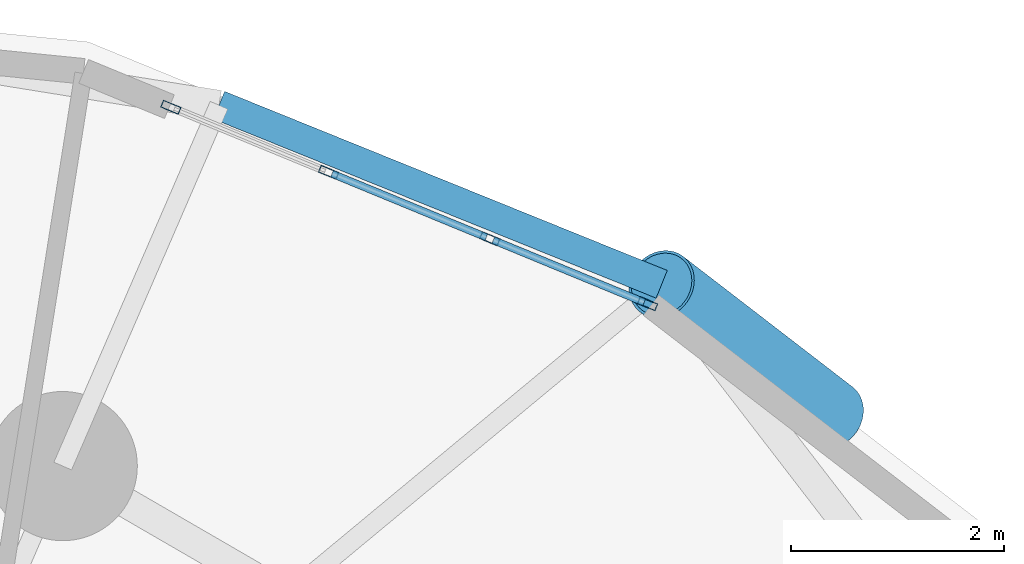
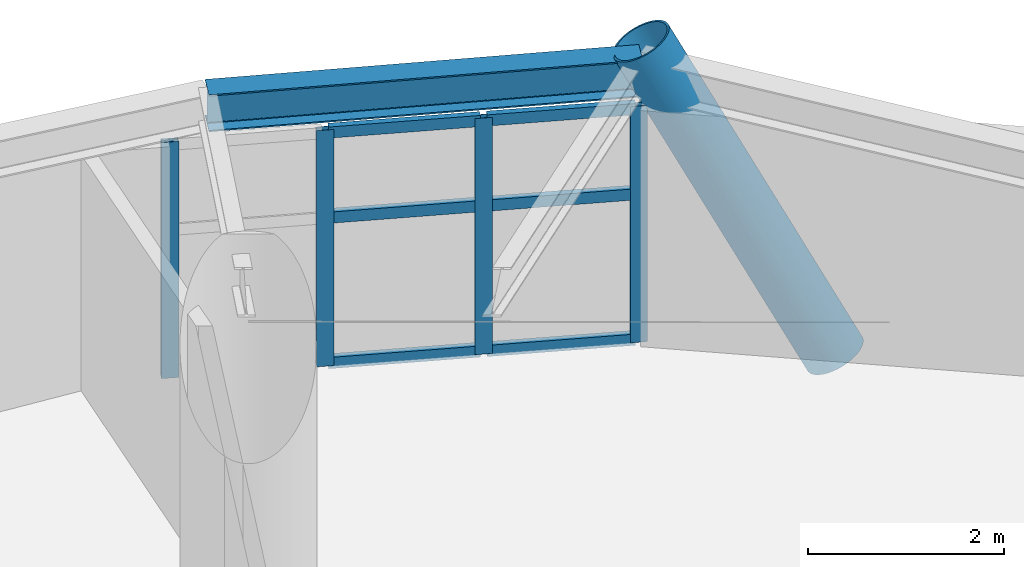
# One storey, part 10 of 19: 11 members, 1 beam, 1 element without a shape of its own.
"""IFC4 building model written with IfcOpenShell, lengths in metres."""

from ifc_helpers import new_model, si_unit, direction, frame, origin, origin_2d, place, context, subcontext, project, spatial, hollow_rectangle, hollow_circle, i_section, extrude, material, layer, layer_set, material_profile, profile_set, type_object, element, aggregate, save


model = new_model("IFC4")

# Units and contexts
model_context = context("Model", 3, precision=1e-05, world=origin(), true_north=direction((0.0, 1.0)))
body_context = subcontext(model_context, "Body", "Model", "MODEL_VIEW")
ifc_project = project(units=[si_unit("LENGTHUNIT", "METRE"), si_unit("AREAUNIT", "SQUARE_METRE"), si_unit("VOLUMEUNIT", "CUBIC_METRE"), si_unit("PLANEANGLEUNIT", "RADIAN"), si_unit("MASSUNIT", "GRAM", prefix="KILO")], contexts=[model_context])

# Site, building, storey
site_placement = place(None, origin())
site = spatial("IfcSite", under=ifc_project, at=site_placement, CompositionType="ELEMENT")
building_placement = place(site_placement, origin())
building = spatial("IfcBuilding", under=site, at=building_placement, Name="Cununo Teusaquillo Station Towers", CompositionType="ELEMENT")
storey_placement = place(building_placement, frame((0.0, 0.0, 136.60009765625)))
storey = spatial("IfcBuildingStorey", under=building, at=storey_placement, Name="L43", CompositionType="ELEMENT", Elevation=136.60009765625)

# Beam
ifc_material_1 = material(Name="Steel ASTM A572 Grade 50", Category="steel")
ifc_material_profile_1 = material_profile(ifc_material_1, i_section(OverallWidth=0.280029296875, OverallDepth=0.462890625, WebThickness=0.0107421875, FlangeThickness=0.017333984375, FilletRadius=0.013916015625, at=origin_2d()), Name="W18X76")
ifc_profile_set_1 = profile_set([ifc_material_profile_1], Name="Steel ASTM A572 Grade 50")
beam_type = type_object("IfcBeamType", Name="BM-RING-Z2", PredefinedType="SPANDREL", material=ifc_profile_set_1)
beam_placement = place(storey_placement, frame((63.9111328125, 39.341064453125, 3.20849609375), z_axis=(-0.927007712072, 0.375042266631, 0.0), x_axis=(-0.375042266631, -0.927007712072, 0.0)))
element("IfcBeam", 1, at=beam_placement, inside=storey, type_object=beam_type, Name="L43 Tower B Spandrel Ring Beam 02", PredefinedType="SPANDREL", context=body_context, shape_type="SweptSolid", body=[
    extrude(i_section(OverallWidth=0.280029296875, OverallDepth=0.462890625, WebThickness=0.0107421875, FlangeThickness=0.017333984375, FilletRadius=0.013916015625, at=origin_2d()), origin(), (0.0, 0.0, 1.0), 4.480712890625),
])

# Curtain wall, members
ifc_material_2 = material(Name="Ceramic-fritted dark low-E double glazing", Category="glass")
ifc_layer = layer(ifc_material_2, 0.179931640625)
ifc_layer_set = layer_set([ifc_layer], Name="Ceramic-fritted dark low-E double glazing")
curtain_wall_type = type_object("IfcCurtainWallType", Name="CW-SYS-04", PredefinedType="USERDEFINED", material=ifc_layer_set)
curtain_wall_placement = place(storey_placement, origin())
curtain_wall = element("IfcCurtainWall", 2, at=curtain_wall_placement, inside=storey, type_object=curtain_wall_type, Name="L43 Tower B Facade Curtain Wall C01", ObjectType="FRITTED GLAZING", PredefinedType="USERDEFINED")
ifc_material_3 = material(Name="Anodised dark bronze aluminium EN AW-6063-T6", Category="aluminium")
ifc_material_profile_2 = material_profile(ifc_material_3, hollow_rectangle(XDim=0.070068359375, YDim=0.179931640625, WallThickness=0.00390625, at=origin_2d()), Name="CW-MULL-70x180")
ifc_profile_set_2 = profile_set([ifc_material_profile_2], Name="Anodised dark bronze aluminium EN AW-6063-T6")
member_type_1 = type_object("IfcMemberType", Name="CWM-180", PredefinedType="MULLION", material=ifc_profile_set_2)
member_1_placement = place(storey_placement, frame((59.3056640625, 41.001953125, 0.0), z_axis=(0.0, 0.0, 1.0), x_axis=(0.381030560176, 0.924562443652, 0.0)))
member_1 = element("IfcMember", 3, at=member_1_placement, type_object=member_type_1, Name="CW-04 mullion 1", PredefinedType="MULLION", context=body_context, shape_type="SweptSolid", body=[
    extrude(hollow_rectangle(XDim=0.070068359375, YDim=0.179931640625, WallThickness=0.00390625, at=origin_2d()), origin(), (0.0, 0.0, 1.0), 2.948974609375),
])
member_2_placement = place(storey_placement, frame((60.785888671875, 40.39208984375, 0.0), z_axis=(0.0, 0.0, 1.0), x_axis=(0.381030560176, 0.924562443652, 0.0)))
member_2 = element("IfcMember", 4, at=member_2_placement, type_object=member_type_1, Name="CW-04 mullion 2", PredefinedType="MULLION", context=body_context, shape_type="SweptSolid", body=[
    extrude(hollow_rectangle(XDim=0.070068359375, YDim=0.179931640625, WallThickness=0.00390625, at=origin_2d()), origin(), (0.0, 0.0, 1.0), 2.948974609375),
])
member_3_placement = place(storey_placement, frame((62.298583984375, 39.7685546875, 0.0), z_axis=(0.0, 0.0, 1.0), x_axis=(0.381030560176, 0.924562443652, 0.0)))
member_3 = element("IfcMember", 5, at=member_3_placement, type_object=member_type_1, Name="CW-04 mullion 3", PredefinedType="MULLION", context=body_context, shape_type="SweptSolid", body=[
    extrude(hollow_rectangle(XDim=0.070068359375, YDim=0.179931640625, WallThickness=0.00390625, at=origin_2d()), origin(), (0.0, 0.0, 1.0), 2.948974609375),
])
member_4_placement = place(storey_placement, frame((63.77880859375, 39.158447265625, 0.0), z_axis=(0.0, 0.0, 1.0), x_axis=(0.381030560176, 0.924562443652, 0.0)))
member_4 = element("IfcMember", 6, at=member_4_placement, type_object=member_type_1, Name="CW-04 mullion 4", PredefinedType="MULLION", context=body_context, shape_type="SweptSolid", body=[
    extrude(hollow_rectangle(XDim=0.070068359375, YDim=0.179931640625, WallThickness=0.00390625, at=origin_2d()), origin(), (0.0, 0.0, 1.0), 2.948974609375),
])
ifc_material_4 = material(Name="Anodised dark bronze aluminium EN AW-6063-T6", Category="aluminium")
ifc_material_profile_3 = material_profile(ifc_material_4, hollow_rectangle(XDim=0.070068359375, YDim=0.139892578125, WallThickness=0.00390625, at=origin_2d()), Name="CW-TRAN-70x140")
ifc_profile_set_3 = profile_set([ifc_material_profile_3], Name="Anodised dark bronze aluminium EN AW-6063-T6")
member_type_2 = type_object("IfcMemberType", Name="CWT-140", PredefinedType="USERDEFINED", material=ifc_profile_set_3)
member_5_placement = place(storey_placement, frame((60.818115234375, 40.378662109375, 0.034912109375), z_axis=(0.924577983912, -0.380992849887, 0.0), x_axis=(0.380992849887, 0.924577983912, 0.0)))
member_5 = element("IfcMember", 7, at=member_5_placement, type_object=member_type_2, Name="CW-04 transom 2.1", ObjectType="TRANSOM", PredefinedType="USERDEFINED", context=body_context, shape_type="SweptSolid", body=[
    extrude(hollow_rectangle(XDim=0.070068359375, YDim=0.139892578125, WallThickness=0.00390625, at=origin_2d()), origin(), (0.0, 0.0, 1.0), 1.566162109375),
])
member_6_placement = place(storey_placement, frame((60.818115234375, 40.378662109375, 1.849853515625), z_axis=(0.924577983912, -0.380992849887, 0.0), x_axis=(0.380992849887, 0.924577983912, 0.0)))
member_6 = element("IfcMember", 8, at=member_6_placement, type_object=member_type_2, Name="CW-04 transom 2.2", ObjectType="TRANSOM", PredefinedType="USERDEFINED", context=body_context, shape_type="SweptSolid", body=[
    extrude(hollow_rectangle(XDim=0.070068359375, YDim=0.139892578125, WallThickness=0.00390625, at=origin_2d()), origin(), (0.0, 0.0, 1.0), 1.566162109375),
])
member_7_placement = place(storey_placement, frame((60.818115234375, 40.378662109375, 2.913818359375), z_axis=(0.924577983912, -0.380992849887, 0.0), x_axis=(0.380992849887, 0.924577983912, 0.0)))
member_7 = element("IfcMember", 9, at=member_7_placement, type_object=member_type_2, Name="CW-04 transom 2.3", ObjectType="TRANSOM", PredefinedType="USERDEFINED", context=body_context, shape_type="SweptSolid", body=[
    extrude(hollow_rectangle(XDim=0.070068359375, YDim=0.139892578125, WallThickness=0.00390625, at=origin_2d()), origin(), (0.0, 0.0, 1.0), 1.566162109375),
])
member_8_placement = place(storey_placement, frame((62.330810546875, 39.75537109375, 0.034912109375), z_axis=(0.924555881283, -0.381046483233, 0.0), x_axis=(0.381046483233, 0.924555881283, 0.0)))
member_8 = element("IfcMember", 10, at=member_8_placement, type_object=member_type_2, Name="CW-04 transom 3.1", ObjectType="TRANSOM", PredefinedType="USERDEFINED", context=body_context, shape_type="SweptSolid", body=[
    extrude(hollow_rectangle(XDim=0.070068359375, YDim=0.139892578125, WallThickness=0.00390625, at=origin_2d()), origin(), (0.0, 0.0, 1.0), 1.53125),
])
member_9_placement = place(storey_placement, frame((62.330810546875, 39.75537109375, 1.849853515625), z_axis=(0.924555881283, -0.381046483233, 0.0), x_axis=(0.381046483233, 0.924555881283, 0.0)))
member_9 = element("IfcMember", 11, at=member_9_placement, type_object=member_type_2, Name="CW-04 transom 3.2", ObjectType="TRANSOM", PredefinedType="USERDEFINED", context=body_context, shape_type="SweptSolid", body=[
    extrude(hollow_rectangle(XDim=0.070068359375, YDim=0.139892578125, WallThickness=0.00390625, at=origin_2d()), origin(), (0.0, 0.0, 1.0), 1.53125),
])
member_10_placement = place(storey_placement, frame((62.330810546875, 39.75537109375, 2.913818359375), z_axis=(0.924555881283, -0.381046483233, 0.0), x_axis=(0.381046483233, 0.924555881283, 0.0)))
member_10 = element("IfcMember", 12, at=member_10_placement, type_object=member_type_2, Name="CW-04 transom 3.3", ObjectType="TRANSOM", PredefinedType="USERDEFINED", context=body_context, shape_type="SweptSolid", body=[
    extrude(hollow_rectangle(XDim=0.070068359375, YDim=0.139892578125, WallThickness=0.00390625, at=origin_2d()), origin(), (0.0, 0.0, 1.0), 1.53125),
])
aggregate(curtain_wall, [member_1, member_2, member_3, member_4, member_5, member_6, member_7, member_8, member_9, member_10])

# Member
ifc_material_5 = material(Name="Steel EN 10025-2 S355J2", Category="steel")
ifc_material_profile_4 = material_profile(ifc_material_5, hollow_circle(Radius=0.330078125, WallThickness=0.02490234375, at=origin_2d()), Name="CHS 660x25")
ifc_profile_set_4 = profile_set([ifc_material_profile_4], Name="Steel EN 10025-2 S355J2")
member_type_3 = type_object("IfcMemberType", Name="MBR-DIAG-Z2", PredefinedType="BRACE", material=ifc_profile_set_4)
member_11_placement = place(storey_placement, frame((65.498291015625, 38.118408203125, -0.14013671875), z_axis=(-0.375642790277, 0.289373803063, 0.880429040987), x_axis=(-0.610264182076, -0.792197972779, 0.0)))
element("IfcMember", 13, at=member_11_placement, inside=storey, type_object=member_type_3, Name="L43 Tower B Folded-Zigzag Diagrid Tube C00", PredefinedType="BRACE", context=body_context, shape_type="SweptSolid", body=[
    extrude(hollow_circle(Radius=0.330078125, WallThickness=0.02490234375, at=origin_2d()), origin(), (0.0, 0.0, 1.0), 4.22509765625),
])

save(model, "model.ifc")
